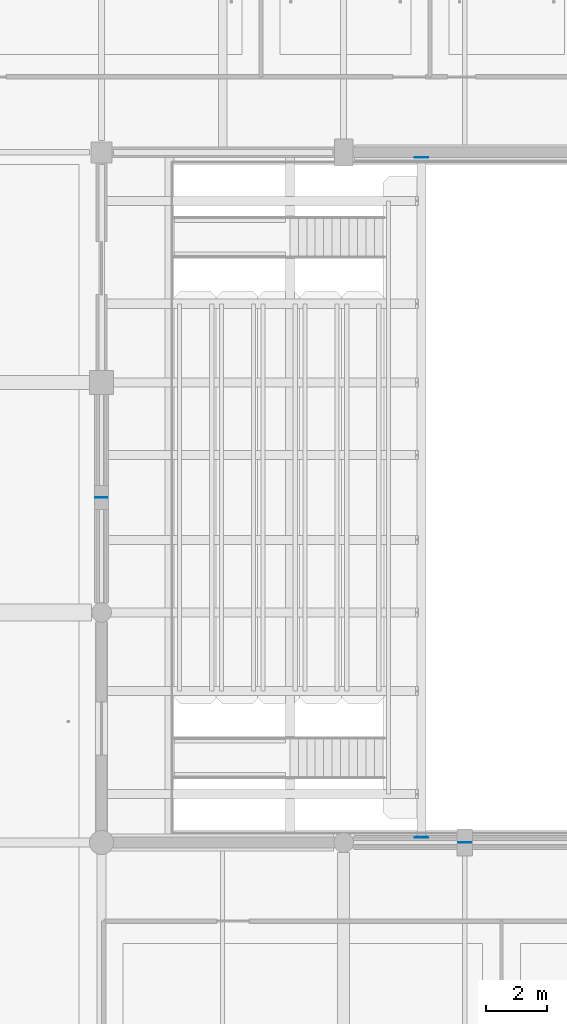
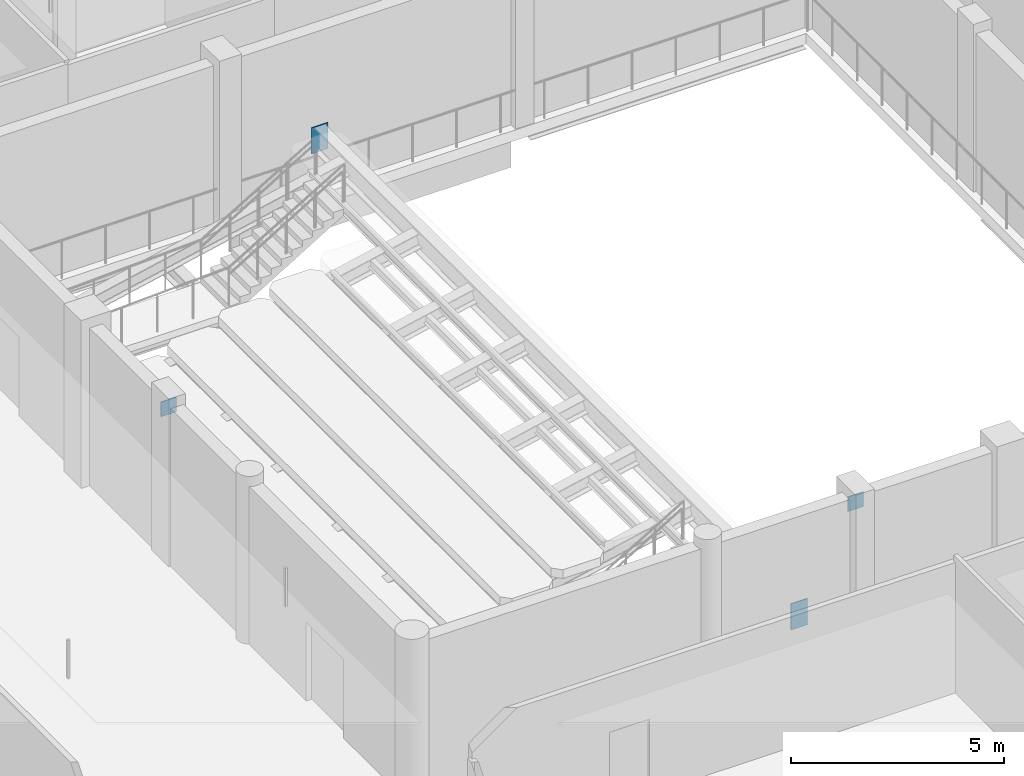
# One storey, part 82 of 147: 4 plates.
"""IFC4 building model written with IfcOpenShell, lengths in metres."""

from ifc_helpers import new_model, si_unit, direction, frame, origin, origin_2d, place, context, subcontext, project, spatial, rectangle, extrude, material, layer, layer_set, type_object, element, save


model = new_model("IFC4")

# Units and contexts
model_context = context("Model", 3, precision=1e-05, world=origin(), true_north=direction((0.0, 1.0)))
body_context = subcontext(model_context, "Body", "Model", "MODEL_VIEW")
ifc_project = project(units=[si_unit("LENGTHUNIT", "METRE"), si_unit("AREAUNIT", "SQUARE_METRE"), si_unit("VOLUMEUNIT", "CUBIC_METRE"), si_unit("PLANEANGLEUNIT", "RADIAN"), si_unit("MASSUNIT", "GRAM", prefix="KILO")], contexts=[model_context])

# Site, building, storey
site_placement = place(None, origin())
site = spatial("IfcSite", under=ifc_project, at=site_placement, CompositionType="ELEMENT")
building_placement = place(site_placement, origin())
building = spatial("IfcBuilding", under=site, at=building_placement, Name="Khelvaren Railside Concert Hall", CompositionType="ELEMENT")
storey_placement = place(building_placement, frame((0.0, 0.0, 5.39990234375)))
storey = spatial("IfcBuildingStorey", under=building, at=storey_placement, Name="L01", CompositionType="ELEMENT", Elevation=5.39990234375)

# Plates
ifc_material = material(Name="Steel S355", Category="steel")
ifc_layer_1 = layer(ifc_material, 0.028076171875)
ifc_layer_set_1 = layer_set([ifc_layer_1], Name="Steel S355")
plate_type_1 = type_object("IfcPlateType", Name="GP71", PredefinedType="USERDEFINED", material=ifc_layer_set_1)
for number, where, z_axis, x_axis, name in (
    (1, (26.570068359375, 83.77001953125, 1.065185546875), (0.0, 0.0, 1.0), (1.0, 0.0, 0.0), "Cast-In Shear Wall Embedment Plate V4-L01-RKHDR-S"),
    (2, (26.570068359375, 106.22998046875, 1.065185546875), (0.0, 0.0, 1.0), (1.0, 0.0, 0.0), "Cast-In Shear Wall Embedment Plate V4-L01-RKHDR-N"),
):
    element("IfcPlate", number, at=place(storey_placement, frame(where, z_axis=z_axis, x_axis=x_axis)), inside=storey, type_object=plate_type_1, Name=name, ObjectType="GUSSET PLATE", PredefinedType="USERDEFINED", context=body_context, shape_type="SweptSolid", body=[
        extrude(rectangle(XDim=0.449951171875, YDim=0.028076171875, at=origin_2d()), origin(), (0.0, 0.0, 1.0), 0.75),
    ])
ifc_layer_2 = layer(ifc_material, 0.02197265625)
ifc_layer_set_2 = layer_set([ifc_layer_2], Name="Steel S355")
plate_type_2 = type_object("IfcPlateType", Name="STP73", PredefinedType="USERDEFINED", material=ifc_layer_set_2)
for number, where, z_axis, x_axis, name in (
    (3, (16.0, 95.0, 4.050048828125), (0.0, 0.0, 1.0), (1.0, 0.0, 0.0), "V4 L01 Brace Apex Stiffener Plate 44"),
    (4, (28.0, 83.60009765625, 4.050048828125), (0.0, 0.0, 1.0), (1.0, 0.0, 0.0), "V4 L01 Brace Apex Stiffener Plate 48"),
):
    element("IfcPlate", number, at=place(storey_placement, frame(where, z_axis=z_axis, x_axis=x_axis)), inside=storey, type_object=plate_type_2, Name=name, ObjectType="STIFFENER PLATE", PredefinedType="USERDEFINED", context=body_context, shape_type="SweptSolid", body=[
        extrude(rectangle(XDim=0.419921875, YDim=0.02197265625, at=origin_2d()), origin(), (0.0, 0.0, 1.0), 0.419921875),
    ])

save(model, "model.ifc")
